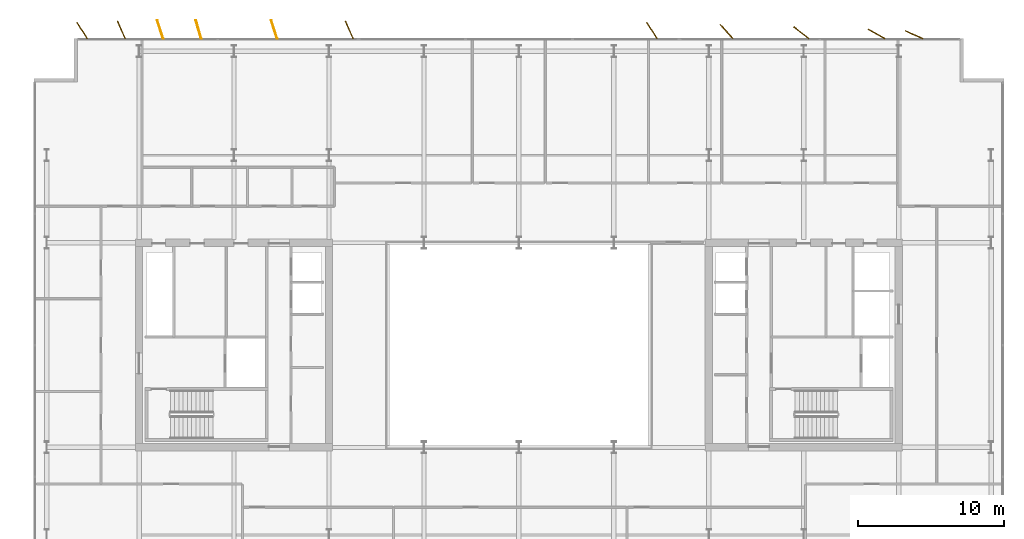
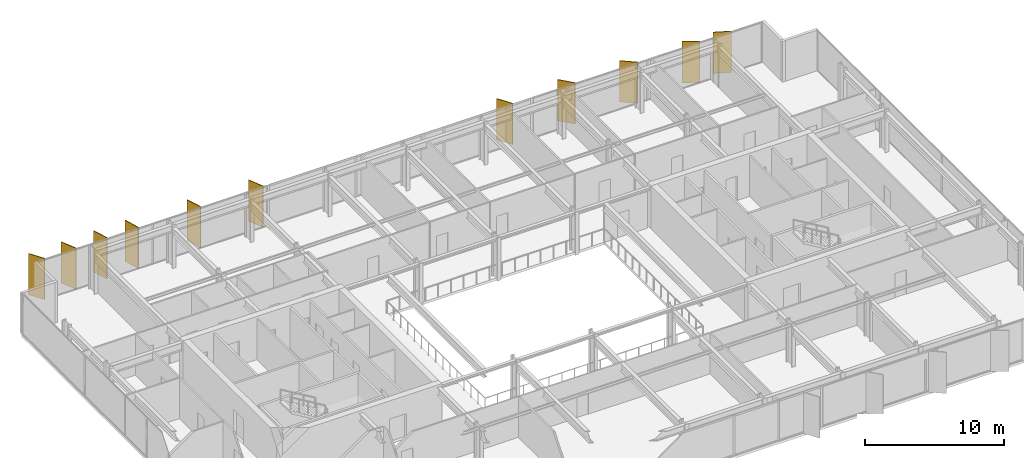
# One storey, part 23 of 23: 11 shading devices.
"""IFC4 building model written with IfcOpenShell, lengths in metres."""

import ifcopenshell
import ifcopenshell.guid

model = None  # the IFC model being written
_history = None  # IfcOwnerHistory: only IFC2X3 demands one
_inside = {}  # id of a spatial element -> (the spatial element, [elements in it])
_under = {}  # id of a project, library or spatial element -> (it, [spatial elements below it])
_declared = {}  # id of a project -> (the project, [libraries it declares])
_typed = {}  # id of a type object -> (the type object, [elements of that type])
_made_of = {}  # id of a material, layer set ... -> (it, [elements and type objects made of it])


def new_model(schema):
    """Start an empty IFC model of exactly this schema.

    Asked for "IFC4X3", IfcOpenShell would pick the latest addendum, in which some entities
    have other attributes; the version numbers below select the first issue.
    IFC2X3 requires an IfcOwnerHistory on every rooted entity: one is made here for all.
    """
    global model, _history
    if schema == "IFC4X3":
        model = ifcopenshell.file(schema_version=(4, 3, 0, 0))
    else:
        model = ifcopenshell.file(schema=schema)
    _inside.clear()
    _under.clear()
    _declared.clear()
    _typed.clear()
    _made_of.clear()
    _history = None
    if model.schema == "IFC2X3":
        org = make("IfcOrganization", Name="unknown")
        user = make(
            "IfcPersonAndOrganization",
            ThePerson=make("IfcPerson", FamilyName="unknown"),
            TheOrganization=org,
        )
        app = make(
            "IfcApplication",
            ApplicationDeveloper=org,
            Version="unknown",
            ApplicationFullName="unknown",
            ApplicationIdentifier="unknown",
        )
        _history = make(
            "IfcOwnerHistory",
            OwningUser=user,
            OwningApplication=app,
            ChangeAction="ADDED",
            CreationDate=0,
        )
    return model


def make(cls, **values):
    """One entity of the class cls with the attributes given. An attribute that is None is left unset."""
    return model.create_entity(
        cls, **{name: value for name, value in values.items() if value is not None}
    )


def rooted(cls, **values):
    """An entity with a GlobalId (a new one), such as an element, a storey or a relation."""
    return make(cls, GlobalId=ifcopenshell.guid.new(), OwnerHistory=_history, **values)


def si_unit(unit_type, name, prefix=None):
    """IfcSIUnit, for example si_unit("LENGTHUNIT", "METRE", prefix="MILLI")."""
    return make("IfcSIUnit", UnitType=unit_type, Prefix=prefix, Name=name)


def assignment(units):
    """IfcUnitAssignment: the units of a project."""
    return None if units is None else make("IfcUnitAssignment", Units=units)


def point(xyz):
    """IfcCartesianPoint."""
    return None if xyz is None else make("IfcCartesianPoint", Coordinates=xyz)


def direction(xyz):
    """IfcDirection."""
    return None if xyz is None else make("IfcDirection", DirectionRatios=xyz)


def frame(location, z_axis=None, x_axis=None):
    """IfcAxis2Placement3D, a coordinate frame: its origin and axes. An axis left out is left unset."""
    return make(
        "IfcAxis2Placement3D",
        Location=point(location),
        Axis=direction(z_axis),
        RefDirection=direction(x_axis),
    )


def frame_2d(location, x_axis=None):
    """IfcAxis2Placement2D, a coordinate frame in the plane: its origin and x axis."""
    return make(
        "IfcAxis2Placement2D", Location=point(location), RefDirection=direction(x_axis)
    )


def origin():
    """The frame at (0, 0, 0) with its axes left unset."""
    return frame((0.0, 0.0, 0.0))


def origin_2d():
    """The frame at (0, 0) in the plane with its x axis left unset."""
    return frame_2d((0.0, 0.0))


def place(relative_to, where):
    """IfcLocalPlacement: puts the frame where relative to a parent placement (None: the world)."""
    return make(
        "IfcLocalPlacement", PlacementRelTo=relative_to, RelativePlacement=where
    )


def context(
    kind, dimensions, precision=None, world=None, true_north=None, identifier=None
):
    """IfcGeometricRepresentationContext, for example the 3D "Model" context."""
    return make(
        "IfcGeometricRepresentationContext",
        ContextIdentifier=identifier,
        ContextType=kind,
        CoordinateSpaceDimension=dimensions,
        Precision=precision,
        WorldCoordinateSystem=world,
        TrueNorth=true_north,
    )


def subcontext(parent, identifier, kind, view, scale=None):
    """IfcGeometricRepresentationSubContext, for example "Body" below "Model"."""
    return make(
        "IfcGeometricRepresentationSubContext",
        ContextIdentifier=identifier,
        ContextType=kind,
        ParentContext=parent,
        TargetScale=scale,
        TargetView=view,
    )


def project(units=None, contexts=None):
    """IfcProject with its units and contexts."""
    return rooted(
        "IfcProject",
        Name="project",
        RepresentationContexts=contexts,
        UnitsInContext=assignment(units),
    )


def spatial(cls, under=None, at=None, **own):
    """A site, building, storey or space (cls), placed at a placement, below another one or the project."""
    s = rooted(cls, ObjectPlacement=at, **own)
    if under is not None:
        _under.setdefault(under.id(), (under, []))[1].append(s)
    return s


def profile(cls, at=None, kind="AREA", **sizes):
    """A parametric profile (cls). Its sizes go by their IFC names, for example OverallWidth=200.0."""
    return make(cls, ProfileType=kind, Position=at, **sizes)


def rectangle(**sizes):
    """IfcRectangleProfileDef."""
    return profile("IfcRectangleProfileDef", **sizes)


def extrude(swept, where, along, depth):
    """IfcExtrudedAreaSolid: the profile swept, set in the frame where, extruded along a direction by depth."""
    return make(
        "IfcExtrudedAreaSolid",
        SweptArea=swept,
        Position=where,
        ExtrudedDirection=direction(along),
        Depth=depth,
    )


def shape(context_of_items, identifier, shape_type, items):
    """IfcShapeRepresentation: the items that make up one representation, for example the "Body"."""
    return make(
        "IfcShapeRepresentation",
        ContextOfItems=context_of_items,
        RepresentationIdentifier=identifier,
        RepresentationType=shape_type,
        Items=items,
    )


def material(Name=None, Category=None):
    """IfcMaterial."""
    return make("IfcMaterial", Name=Name, Category=Category)


def layer(
    of_material, thickness, ventilated=None, Name=None, Category=None, Priority=None
):
    """IfcMaterialLayer: one layer of a wall or slab, of a material (None: an air gap)."""
    return make(
        "IfcMaterialLayer",
        Material=of_material,
        LayerThickness=thickness,
        IsVentilated=ventilated,
        Name=Name,
        Category=Category,
        Priority=Priority,
    )


def layer_set(layers, Name=None):
    """IfcMaterialLayerSet."""
    return make("IfcMaterialLayerSet", MaterialLayers=layers, LayerSetName=Name)


def made_of(thing, what):
    """Note that an element or type object is made of a material, layer set ...; save() writes the relation."""
    if what is not None:
        _made_of.setdefault(what.id(), (what, []))[1].append(thing)
    return thing


def type_object(cls, material=None, **own):
    """A type object (cls), such as IfcWallType, which elements share."""
    return made_of(rooted(cls, **own), material)


def element(
    cls,
    number,
    at=None,
    inside=None,
    cuts=None,
    type_object=None,
    material=None,
    context=None,
    identifier="Body",
    shape_type=None,
    held_by="IfcProductDefinitionShape",
    body=None,
    shapes=None,
    **own,
):
    """One element of the class cls, such as IfcWall. Its Tag is "e" and its number.

    at: its placement. inside: the storey or other place that contains it. cuts: it is an
    opening in that element (IfcRelVoidsElement). A single representation is given by context,
    identifier, shape_type and body (its items); several are given by shapes. held_by: the class
    of the entity that holds the representations. save() writes the other relations.
    """
    e = rooted(cls, Tag="e%d" % number, ObjectPlacement=at, **own)
    if body is not None:
        shapes = [shape(context, identifier, shape_type, body)]
    if shapes is not None:
        e.Representation = make(held_by, Representations=shapes)
    if inside is not None:
        _inside.setdefault(inside.id(), (inside, []))[1].append(e)
    if cuts is not None:
        rooted(
            "IfcRelVoidsElement", RelatingBuildingElement=cuts, RelatedOpeningElement=e
        )
    if type_object is not None:
        _typed.setdefault(type_object.id(), (type_object, []))[1].append(e)
    return made_of(e, material)


def aggregate(whole, parts):
    """IfcRelAggregates: a whole, such as a stair, and the parts it consists of."""
    return rooted("IfcRelAggregates", RelatingObject=whole, RelatedObjects=parts)


def save(model, path):
    """Write the relations noted so far, then the file.

    IfcRelAggregates (storeys below a building ...), IfcRelContainedInSpatialStructure (elements
    in a storey), IfcRelDefinesByType, IfcRelAssociatesMaterial and IfcRelDeclares: one each for
    every whole, place, type object, material and project.
    """
    for whole, parts in _under.values():
        aggregate(whole, parts)
    for where, things in _inside.values():
        rooted(
            "IfcRelContainedInSpatialStructure",
            RelatedElements=things,
            RelatingStructure=where,
        )
    for kind, things in _typed.values():
        rooted("IfcRelDefinesByType", RelatedObjects=things, RelatingType=kind)
    for what, things in _made_of.values():
        rooted("IfcRelAssociatesMaterial", RelatedObjects=things, RelatingMaterial=what)
    for by, libraries in _declared.values():
        rooted("IfcRelDeclares", RelatingContext=by, RelatedDefinitions=libraries)
    model.write(path)


model = new_model("IFC4")

# Units and contexts
model_context = context("Model", 3, precision=1e-05, world=origin(), true_north=direction((0.0, 1.0)))
body_context = subcontext(model_context, "Body", "Model", "MODEL_VIEW")
ifc_project = project(units=[si_unit("LENGTHUNIT", "METRE"), si_unit("AREAUNIT", "SQUARE_METRE"), si_unit("VOLUMEUNIT", "CUBIC_METRE"), si_unit("PLANEANGLEUNIT", "RADIAN"), si_unit("MASSUNIT", "GRAM", prefix="KILO")], contexts=[model_context])

# Site, building, storey
site_placement = place(None, origin())
site = spatial("IfcSite", under=ifc_project, at=site_placement, CompositionType="ELEMENT")
building_placement = place(site_placement, origin())
building = spatial("IfcBuilding", under=site, at=building_placement, Name="Putna Gate Headquarters", CompositionType="ELEMENT")
storey_placement = place(building_placement, frame((0.0, 0.0, 225.199951171875)))
storey = spatial("IfcBuildingStorey", under=building, at=storey_placement, Name="L56", CompositionType="ELEMENT", Elevation=225.199951171875)

# Shading devices
ifc_material = material(Name="Anodised architectural bronze aluminium fin", Category="aluminium")
ifc_layer = layer(ifc_material, 0.06494140625)
ifc_layer_set = layer_set([ifc_layer], Name="Anodised architectural bronze aluminium fin")
shading_device_type = type_object("IfcShadingDeviceType", Name="SHADE-BRONZE-FIN-1320", PredefinedType="USERDEFINED", material=ifc_layer_set)
for number, where, z_axis, x_axis, name in (
    (1, (9.099853515625, 47.534423828125, -0.02001953125), (0.0, 0.0, 1.0), (-0.530659123936, 0.847585331506, 0.0), "L56 Bronze Vertical Shading Fin N1"),
    (2, (11.78564453125, 47.57958984375, -0.02001953125), (0.0, 0.0, 1.0), (-0.400668879095, 0.916222925562, 0.0), "L56 Bronze Vertical Shading Fin N2"),
    (3, (14.4462890625, 47.602783203125, -0.02001953125), (0.0, 0.0, 1.0), (-0.308684994204, 0.951164325631, 0.0), "L56 Bronze Vertical Shading Fin N3"),
    (4, (17.068115234375, 47.609375, -0.02001953125), (0.0, 0.0, 1.0), (-0.275637355817, 0.961261695938, 0.0), "L56 Bronze Vertical Shading Fin N4"),
    (5, (22.246337890625, 47.602783203125, -0.02001953125), (0.0, 0.0, 1.0), (-0.308684994204, 0.951164325631, 0.0), "L56 Bronze Vertical Shading Fin N5"),
    (6, (27.385498046875, 47.57958984375, -0.02001953125), (0.0, 0.0, 1.0), (-0.400668879095, 0.916222925562, 0.0), "L56 Bronze Vertical Shading Fin N6"),
    (7, (48.099853515625, 47.534423828125, -0.02001953125), (0.0, 0.0, 1.0), (-0.530659123936, 0.847585331506, 0.0), "L56 Bronze Vertical Shading Fin N7"),
    (8, (53.20849609375, 47.465576171875, -0.02001953125), (0.0, 0.0, 1.0), (-0.669130606359, 0.743144825477, 0.0), "L56 Bronze Vertical Shading Fin N8"),
    (9, (58.330322265625, 47.3818359375, -0.02001953125), (0.0, 0.0, 1.0), (-0.787473187632, 0.616348909921, 0.0), "L56 Bronze Vertical Shading Fin N9"),
    (10, (63.476318359375, 47.30126953125, -0.02001953125), (0.0, 0.0, 1.0), (-0.869322458298, 0.494245347472, 0.0), "L56 Bronze Vertical Shading Fin N10"),
    (11, (66.047119140625, 47.2431640625, -0.02001953125), (0.0, 0.0, 1.0), (-0.913687379856, 0.40641773078, 0.0), "L56 Bronze Vertical Shading Fin N11"),
):
    element("IfcShadingDevice", number, at=place(storey_placement, frame(where, z_axis=z_axis, x_axis=x_axis)), inside=storey, type_object=shading_device_type, Name=name, ObjectType="FIN", PredefinedType="USERDEFINED", context=body_context, shape_type="SweptSolid", body=[
        extrude(rectangle(XDim=1.320068359375, YDim=0.06494140625, at=origin_2d()), origin(), (0.0, 0.0, 1.0), 3.6201171875),
    ])

save(model, "model.ifc")
